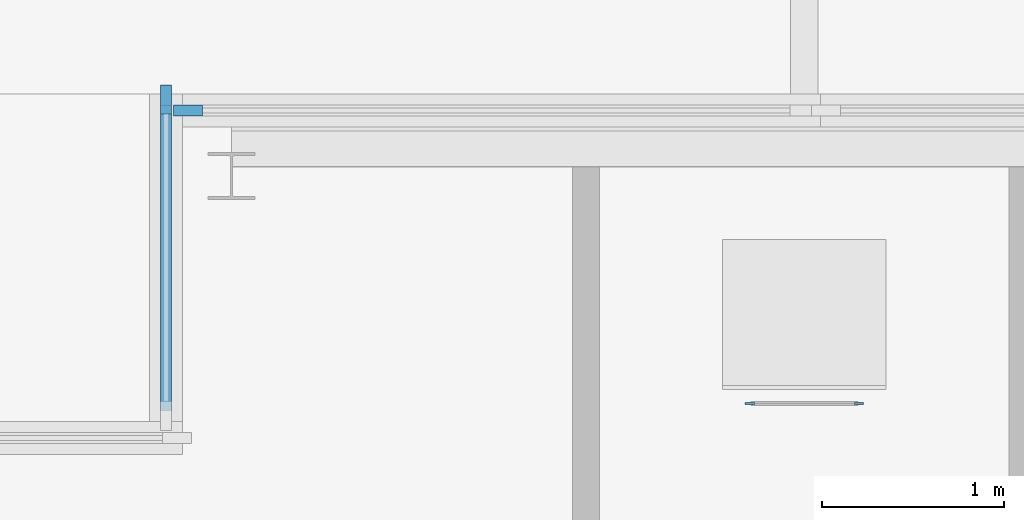
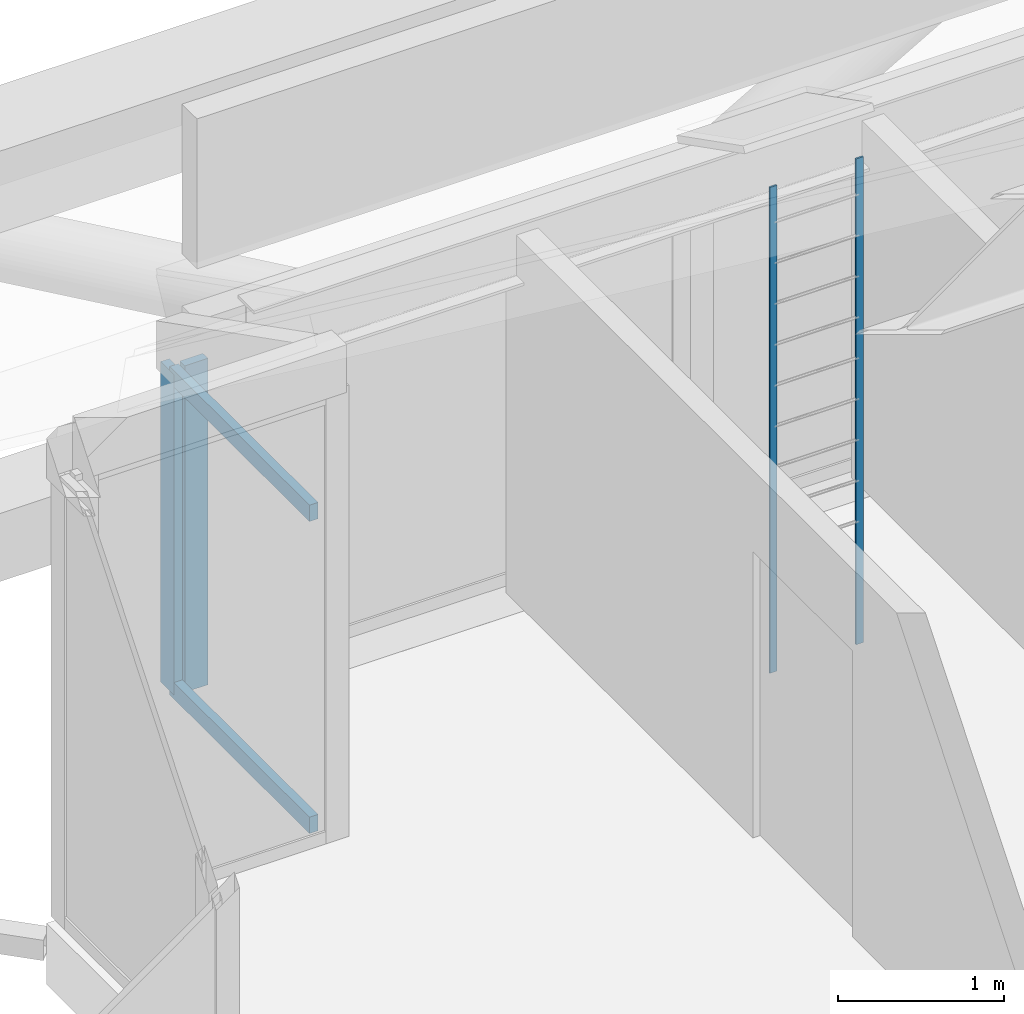
# One storey, part 14 of 25: 6 members, 2 elements without a shape of their own.
"""IFC4 building model written with IfcOpenShell, lengths in metres."""

from ifc_helpers import new_model, si_unit, direction, frame, origin, origin_2d, place, context, subcontext, project, spatial, rectangle, extrude, material, material_profile, profile_set, type_object, element, aggregate, save


model = new_model("IFC4")

# Units and contexts
model_context = context("Model", 3, precision=1e-05, world=origin(), true_north=direction((0.0, 1.0)))
body_context = subcontext(model_context, "Body", "Model", "MODEL_VIEW")
ifc_project = project(units=[si_unit("LENGTHUNIT", "METRE"), si_unit("AREAUNIT", "SQUARE_METRE"), si_unit("VOLUMEUNIT", "CUBIC_METRE"), si_unit("PLANEANGLEUNIT", "RADIAN"), si_unit("MASSUNIT", "GRAM", prefix="KILO")], contexts=[model_context])

# Site, building, storey
site_placement = place(None, origin())
site = spatial("IfcSite", under=ifc_project, at=site_placement, CompositionType="ELEMENT")
building_placement = place(site_placement, origin())
building = spatial("IfcBuilding", under=site, at=building_placement, Name="Fustian Cross Tower", CompositionType="ELEMENT")
storey_placement = place(building_placement, frame((0.0, 0.0, 247.5)))
storey = spatial("IfcBuildingStorey", under=building, at=storey_placement, Name="L77", CompositionType="ELEMENT", Elevation=247.5)

# Curtain wall, member
ifc_material_1 = material(Name="Glass", Category="glass")
curtain_wall_type = type_object("IfcCurtainWallType", Name="CW6 CURTAIN WALL", PredefinedType="NOTDEFINED", material=ifc_material_1)
curtain_wall_1_placement = place(storey_placement, origin())
curtain_wall_1 = element("IfcCurtainWall", 1, at=curtain_wall_1_placement, inside=storey, type_object=curtain_wall_type, Name="Curtain wall CW6", PredefinedType="NOTDEFINED")
ifc_material_2 = material(Name="Aluminium alloy 6063", Category="aluminium")
ifc_material_profile_1 = material_profile(ifc_material_2, rectangle(XDim=0.06005859375, YDim=0.159912109375, at=origin_2d()), Name="CW6 MULLION 60x160")
ifc_profile_set_1 = profile_set([ifc_material_profile_1], Name="Aluminium alloy 6063")
member_type_1 = type_object("IfcMemberType", Name="CW6 MULLION 60x160", PredefinedType="MULLION", material=ifc_profile_set_1)
member_1_placement = place(storey_placement, frame((-3.389892578125, 21.510009765625, 0.0), z_axis=(0.0, 0.0, 1.0), x_axis=(0.0, -1.0, 0.0)))
member_1 = element("IfcMember", 2, at=member_1_placement, type_object=member_type_1, Name="CW6 mullion 2", PredefinedType="MULLION", context=body_context, shape_type="SweptSolid", body=[
    extrude(rectangle(XDim=0.06005859375, YDim=0.159912109375, at=origin_2d()), origin(), (0.0, 0.0, 1.0), 2.395751953125),
])
aggregate(curtain_wall_1, [member_1])

# Curtain wall, members
curtain_wall_2_placement = place(storey_placement, origin())
curtain_wall_2 = element("IfcCurtainWall", 3, at=curtain_wall_2_placement, inside=storey, type_object=curtain_wall_type, Name="Curtain wall CW6", PredefinedType="NOTDEFINED")
member_2_placement = place(storey_placement, frame((-3.510009765625, 21.570068359375, 0.0), z_axis=(0.0, 0.0, 1.0), x_axis=(1.0, 0.0, 0.0)))
member_2 = element("IfcMember", 4, at=member_2_placement, type_object=member_type_1, Name="CW6 mullion 1", PredefinedType="MULLION", context=body_context, shape_type="SweptSolid", body=[
    extrude(rectangle(XDim=0.06005859375, YDim=0.159912109375, at=origin_2d()), origin(), (0.0, 0.0, 1.0), 2.35009765625),
])
ifc_material_3 = material(Name="Aluminium alloy 6063", Category="aluminium")
ifc_material_profile_2 = material_profile(ifc_material_3, rectangle(XDim=0.06005859375, YDim=0.1201171875, at=origin_2d()), Name="CW6 TRANSOM 60x120")
ifc_profile_set_2 = profile_set([ifc_material_profile_2], Name="Aluminium alloy 6063")
member_type_2 = type_object("IfcMemberType", Name="CW6 TRANSOM 60x120", PredefinedType="USERDEFINED", material=ifc_profile_set_2)
member_3_placement = place(storey_placement, frame((-3.510009765625, 21.5400390625, 0.030029296875), z_axis=(0.0, -1.0, 0.0), x_axis=(1.0, 0.0, 0.0)))
member_3 = element("IfcMember", 5, at=member_3_placement, type_object=member_type_2, Name="CW6 transom 1.1", ObjectType="TRANSOM", PredefinedType="USERDEFINED", context=body_context, shape_type="SweptSolid", body=[
    extrude(rectangle(XDim=0.06005859375, YDim=0.1201171875, at=origin_2d()), origin(), (0.0, 0.0, 1.0), 1.679931640625),
])
member_4_placement = place(storey_placement, frame((-3.510009765625, 21.5400390625, 2.320068359375), z_axis=(0.0, -1.0, 0.0), x_axis=(1.0, 0.0, 0.0)))
member_4 = element("IfcMember", 6, at=member_4_placement, type_object=member_type_2, Name="CW6 transom 1.2", ObjectType="TRANSOM", PredefinedType="USERDEFINED", context=body_context, shape_type="SweptSolid", body=[
    extrude(rectangle(XDim=0.06005859375, YDim=0.1201171875, at=origin_2d()), origin(), (0.0, 0.0, 1.0), 1.679931640625),
])
aggregate(curtain_wall_2, [member_2, member_3, member_4])

# Members
ifc_material_4 = material(Name="Steel S355", Category="steel")
ifc_material_profile_3 = material_profile(ifc_material_4, rectangle(XDim=0.050048828125, YDim=0.011962890625, at=origin_2d()), Name="ROOF ACCESS LADDER STILE FB 50x12 S355")
ifc_profile_set_3 = profile_set([ifc_material_profile_3], Name="Steel S355")
member_type_3 = type_object("IfcMemberType", Name="ROOF ACCESS LADDER STILE FB 50x12 S355", PredefinedType="MEMBER", material=ifc_profile_set_3)
for number, where, z_axis, x_axis, name in (
    (7, (-0.300048828125, 19.89892578125, 0.0), (0.0, 0.0, 1.0), (1.0, 0.0, 0.0), "Roof access ladder stile 1"),
    (8, (0.300048828125, 19.89892578125, 0.0), (0.0, 0.0, 1.0), (1.0, 0.0, 0.0), "Roof access ladder stile 2"),
):
    element("IfcMember", number, at=place(storey_placement, frame(where, z_axis=z_axis, x_axis=x_axis)), inside=storey, type_object=member_type_3, Name=name, PredefinedType="MEMBER", context=body_context, shape_type="SweptSolid", body=[
        extrude(rectangle(XDim=0.050048828125, YDim=0.011962890625, at=origin_2d()), origin(), (0.0, 0.0, 1.0), 3.566162109375),
    ])

save(model, "model.ifc")
